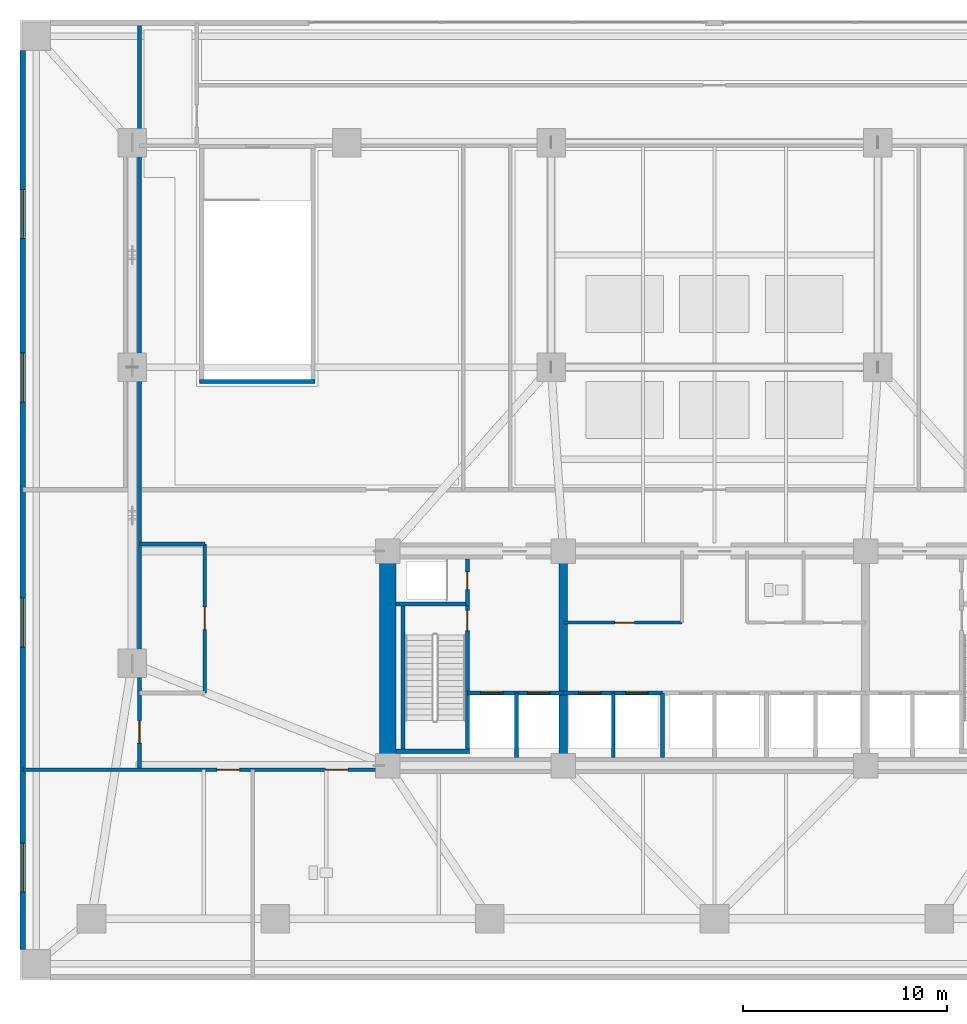
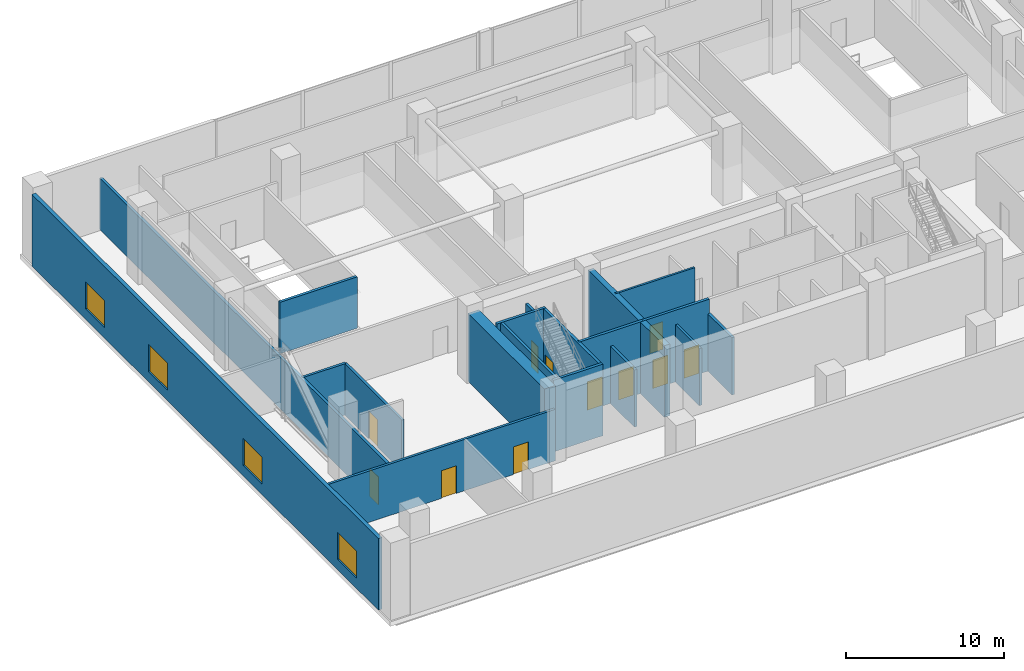
# One storey, part 11 of 16: 19 walls, 11 doors, 4 windows, 15 openings.
"""IFC4 building model written with IfcOpenShell, lengths in metres."""

from ifc_helpers import new_model, si_unit, direction, frame, frame_2d, origin, place, context, subcontext, project, spatial, rectangle, extrude, material, layer, layer_set, type_object, element, fill, save


model = new_model("IFC4")

# Units and contexts
model_context = context("Model", 3, precision=1e-05, world=origin(), true_north=direction((0.0, 1.0)))
body_context = subcontext(model_context, "Body", "Model", "MODEL_VIEW")
ifc_project = project(units=[si_unit("LENGTHUNIT", "METRE"), si_unit("AREAUNIT", "SQUARE_METRE"), si_unit("VOLUMEUNIT", "CUBIC_METRE"), si_unit("PLANEANGLEUNIT", "RADIAN"), si_unit("MASSUNIT", "GRAM", prefix="KILO")], contexts=[model_context])

# Site, building, storey
site_placement = place(None, origin())
site = spatial("IfcSite", under=ifc_project, at=site_placement, CompositionType="ELEMENT")
building_placement = place(site_placement, origin())
building = spatial("IfcBuilding", under=site, at=building_placement, Name="Solmavex Isthmus Hotel", CompositionType="ELEMENT")
storey_placement = place(building_placement, frame((0.0, 0.0, 20.39990234375)))
storey = spatial("IfcBuildingStorey", under=building, at=storey_placement, Name="L05", CompositionType="ELEMENT", Elevation=20.39990234375)

# Wall, openings, windows
ifc_material_1 = material(Name="Precast Concrete C40/50", Category="concrete")
ifc_layer_1 = layer(ifc_material_1, 0.280029296875)
ifc_layer_set_1 = layer_set([ifc_layer_1], Name="Precast Concrete C40/50")
wall_type_1 = type_object("IfcWallType", Name="EW-POD-280", PredefinedType="STANDARD", material=ifc_layer_set_1)
wall_1_placement = place(storey_placement, frame((-33.860107421875, -22.0, 0.0), z_axis=(0.0, 0.0, 1.0), x_axis=(0.0, 1.0, 0.0)))
wall_1 = element("IfcWall", 1, at=wall_1_placement, inside=storey, type_object=wall_type_1, Name="Podium Facade Wall West L05", PredefinedType="STANDARD", context=body_context, shape_type="SweptSolid", body=[
    extrude(rectangle(XDim=44.0, YDim=0.280029296875, at=frame_2d((22.0, 0.0))), origin(), (0.0, 0.0, 1.0), 5.550048828125),
])
opening_1_placement = place(wall_1_placement, frame((2.800048828125, 0.0, 0.800048828125)))
opening_1 = element("IfcOpeningElement", 2, at=opening_1_placement, cuts=wall_1, Name="Opening WN-01", PredefinedType="OPENING", context=body_context, shape_type="SweptSolid", body=[
    extrude(rectangle(XDim=2.39990234375, YDim=2.10009765625, at=frame_2d((1.199951171875, 1.050048828125))), frame((0.0, 0.14990234375, 0.0), z_axis=(0.0, -1.0, 0.0), x_axis=(1.0, 0.0, 0.0)), (0.0, 0.0, 1.0), 0.300048828125),
])
opening_2_placement = place(wall_1_placement, frame((14.800048828125, 0.0, 0.800048828125)))
opening_2 = element("IfcOpeningElement", 3, at=opening_2_placement, cuts=wall_1, Name="Opening WN-01", PredefinedType="OPENING", context=body_context, shape_type="SweptSolid", body=[
    extrude(rectangle(XDim=2.39990234375, YDim=2.10009765625, at=frame_2d((1.199951171875, 1.050048828125))), frame((0.0, 0.14990234375, 0.0), z_axis=(0.0, -1.0, 0.0), x_axis=(1.0, 0.0, 0.0)), (0.0, 0.0, 1.0), 0.300048828125),
])
opening_3_placement = place(wall_1_placement, frame((26.800048828125, 0.0, 0.800048828125)))
opening_3 = element("IfcOpeningElement", 4, at=opening_3_placement, cuts=wall_1, Name="Opening WN-01", PredefinedType="OPENING", context=body_context, shape_type="SweptSolid", body=[
    extrude(rectangle(XDim=2.39990234375, YDim=2.10009765625, at=frame_2d((1.199951171875, 1.050048828125))), frame((0.0, 0.14990234375, 0.0), z_axis=(0.0, -1.0, 0.0), x_axis=(1.0, 0.0, 0.0)), (0.0, 0.0, 1.0), 0.300048828125),
])
opening_4_placement = place(wall_1_placement, frame((34.800048828125, 0.0, 0.800048828125)))
opening_4 = element("IfcOpeningElement", 5, at=opening_4_placement, cuts=wall_1, Name="Opening WN-01", PredefinedType="OPENING", context=body_context, shape_type="SweptSolid", body=[
    extrude(rectangle(XDim=2.39990234375, YDim=2.10009765625, at=frame_2d((1.199951171875, 1.050048828125))), frame((0.0, 0.14990234375, 0.0), z_axis=(0.0, -1.0, 0.0), x_axis=(1.0, 0.0, 0.0)), (0.0, 0.0, 1.0), 0.300048828125),
])
ifc_material_2 = material(Name="Clear low-E laminated glass", Category="glass")
window_type = type_object("IfcWindowType", Name="WIN-POD-2400", PartitioningType="SINGLE_PANEL", PredefinedType="WINDOW", material=ifc_material_2)
window_1_placement = place(opening_1_placement, origin())
window_1 = element("IfcWindow", 6, at=window_1_placement, inside=storey, type_object=window_type, Name="Podium Ballroom Window L05-W1", OverallHeight=2.10009765625, OverallWidth=2.39990234375, PartitioningType="SINGLE_PANEL", PredefinedType="WINDOW", context=body_context, shape_type="SweptSolid", body=[
    extrude(rectangle(XDim=2.39990234375, YDim=2.10009765625, at=frame_2d((1.199951171875, 1.050048828125))), frame((0.0, 0.030029296875, 0.0), z_axis=(0.0, -1.0, 0.0), x_axis=(1.0, 0.0, 0.0)), (0.0, 0.0, 1.0), 0.06005859375),
])
fill(opening_1, window_1)
window_2_placement = place(opening_2_placement, origin())
window_2 = element("IfcWindow", 7, at=window_2_placement, inside=storey, type_object=window_type, Name="Podium Ballroom Window L05-W2", OverallHeight=2.10009765625, OverallWidth=2.39990234375, PartitioningType="SINGLE_PANEL", PredefinedType="WINDOW", context=body_context, shape_type="SweptSolid", body=[
    extrude(rectangle(XDim=2.39990234375, YDim=2.10009765625, at=frame_2d((1.199951171875, 1.050048828125))), frame((0.0, 0.030029296875, 0.0), z_axis=(0.0, -1.0, 0.0), x_axis=(1.0, 0.0, 0.0)), (0.0, 0.0, 1.0), 0.06005859375),
])
fill(opening_2, window_2)
window_3_placement = place(opening_3_placement, origin())
window_3 = element("IfcWindow", 8, at=window_3_placement, inside=storey, type_object=window_type, Name="Podium Ballroom Window L05-W3", OverallHeight=2.10009765625, OverallWidth=2.39990234375, PartitioningType="SINGLE_PANEL", PredefinedType="WINDOW", context=body_context, shape_type="SweptSolid", body=[
    extrude(rectangle(XDim=2.39990234375, YDim=2.10009765625, at=frame_2d((1.199951171875, 1.050048828125))), frame((0.0, 0.030029296875, 0.0), z_axis=(0.0, -1.0, 0.0), x_axis=(1.0, 0.0, 0.0)), (0.0, 0.0, 1.0), 0.06005859375),
])
fill(opening_3, window_3)
window_4_placement = place(opening_4_placement, origin())
window_4 = element("IfcWindow", 9, at=window_4_placement, inside=storey, type_object=window_type, Name="Podium Ballroom Window L05-W4", OverallHeight=2.10009765625, OverallWidth=2.39990234375, PartitioningType="SINGLE_PANEL", PredefinedType="WINDOW", context=body_context, shape_type="SweptSolid", body=[
    extrude(rectangle(XDim=2.39990234375, YDim=2.10009765625, at=frame_2d((1.199951171875, 1.050048828125))), frame((0.0, 0.030029296875, 0.0), z_axis=(0.0, -1.0, 0.0), x_axis=(1.0, 0.0, 0.0)), (0.0, 0.0, 1.0), 0.06005859375),
])
fill(opening_4, window_4)

# Wall, opening, door
ifc_material_3 = material(Name="Gypsum plasterboard lining", Category="gypsum")
ifc_layer_2 = layer(ifc_material_3, 0.14990234375)
ifc_layer_set_2 = layer_set([ifc_layer_2], Name="Gypsum plasterboard lining")
wall_type_2 = type_object("IfcWallType", Name="IW-CORR-150", PredefinedType="PARTITIONING", material=ifc_layer_set_2)
wall_2_placement = place(storey_placement, frame((-7.39990234375, -6.0, 0.0), z_axis=(0.0, 0.0, 1.0), x_axis=(1.0, 0.0, 0.0)))
wall_2 = element("IfcWall", 10, at=wall_2_placement, inside=storey, type_object=wall_type_2, Name="Interior Partition Wall W-L05-BOH-WS", PredefinedType="PARTITIONING", context=body_context, shape_type="SweptSolid", body=[
    extrude(rectangle(XDim=5.7998046875, YDim=0.14990234375, at=frame_2d((2.89990234375, 0.0))), origin(), (0.0, 0.0, 1.0), 5.550048828125),
])
opening_5_placement = place(wall_2_placement, frame((2.52490234375, 0.0, 0.0)))
opening_5 = element("IfcOpeningElement", 11, at=opening_5_placement, cuts=wall_2, Name="Opening ID-C095", PredefinedType="OPENING", context=body_context, shape_type="SweptSolid", body=[
    extrude(rectangle(XDim=0.949951171875, YDim=2.14990234375, at=frame_2d((0.47509765625, 1.074951171875))), frame((0.0, 0.0849609375, 0.0), z_axis=(0.0, -1.0, 0.0), x_axis=(1.0, 0.0, 0.0)), (0.0, 0.0, 1.0), 0.169921875),
])
ifc_material_4 = material(Name="Hardwood timber", Category="wood")
door_type_1 = type_object("IfcDoorType", Name="IDR-FD60-0950", OperationType="NOTDEFINED", PredefinedType="DOOR", material=ifc_material_4)
door_1_placement = place(opening_5_placement, frame((0.949951171875, 0.0, 0.0), z_axis=(0.0, 0.0, 1.0), x_axis=(-1.0, 0.0, 0.0)))
door_1 = element("IfcDoor", 12, at=door_1_placement, inside=storey, type_object=door_type_1, Name="Housekeeping Room Door L05", OperationType="SINGLE_SWING_LEFT", OverallHeight=2.14990234375, OverallWidth=0.949951171875, PredefinedType="DOOR", context=body_context, shape_type="SweptSolid", body=[
    extrude(rectangle(XDim=0.949951171875, YDim=2.14990234375, at=frame_2d((0.47509765625, 1.074951171875))), frame((0.0, 0.02490234375, 0.0), z_axis=(0.0, -1.0, 0.0), x_axis=(1.0, 0.0, 0.0)), (0.0, 0.0, 1.0), 0.050048828125),
])
fill(opening_5, door_1)

# Wall
ifc_material_5 = material(Name="Concrete C40/50", Category="concrete")
ifc_layer_3 = layer(ifc_material_5, 0.179931640625)
ifc_layer_set_3 = layer_set([ifc_layer_3], Name="Concrete C40/50")
wall_type_3 = type_object("IfcWallType", Name="IW-SHAFT-180", PredefinedType="PARTITIONING", material=ifc_layer_set_3)
wall_3_placement = place(storey_placement, frame((-4.949951171875, -12.60009765625, 0.0), z_axis=(0.0, 0.0, 1.0), x_axis=(0.0, 1.0, 0.0)))
element("IfcWall", 13, at=wall_3_placement, inside=storey, type_object=wall_type_3, Name="Interior Partition Wall W-L05-SH-PLL-M", PredefinedType="PARTITIONING", context=body_context, shape_type="SweptSolid", body=[
    extrude(rectangle(XDim=3.150146484375, YDim=0.179931640625, at=frame_2d((1.5751953125, 0.0))), origin(), (0.0, 0.0, 1.0), 4.43505859375),
])

# Wall, openings, doors
wall_4_placement = place(storey_placement, frame((-33.860107421875, -13.199951171875, 0.0), z_axis=(0.0, 0.0, 1.0), x_axis=(1.0, 0.0, 0.0)))
wall_4 = element("IfcWall", 14, at=wall_4_placement, inside=storey, type_object=wall_type_3, Name="Interior Partition Wall W-L05-SW", PredefinedType="PARTITIONING", context=body_context, shape_type="SweptSolid", body=[
    extrude(rectangle(XDim=17.860107421875, YDim=0.179931640625, at=frame_2d((8.93017578125, 0.0))), origin(), (0.0, 0.0, 1.0), 3.985107421875),
])
opening_6_placement = place(wall_4_placement, frame((14.81005859375, 0.0, 0.0)))
opening_6 = element("IfcOpeningElement", 15, at=opening_6_placement, cuts=wall_4, Name="Opening ID-C110", PredefinedType="OPENING", context=body_context, shape_type="SweptSolid", body=[
    extrude(rectangle(XDim=1.10009765625, YDim=2.14990234375, at=frame_2d((0.550048828125, 1.074951171875))), frame((0.0, 0.099853515625, 0.0), z_axis=(0.0, -1.0, 0.0), x_axis=(1.0, 0.0, 0.0)), (0.0, 0.0, 1.0), 0.199951171875),
])
opening_7_placement = place(wall_4_placement, frame((9.510009765625, 0.0, 0.0)))
opening_7 = element("IfcOpeningElement", 16, at=opening_7_placement, cuts=wall_4, Name="Opening ID-C110", PredefinedType="OPENING", context=body_context, shape_type="SweptSolid", body=[
    extrude(rectangle(XDim=1.10009765625, YDim=2.14990234375, at=frame_2d((0.550048828125, 1.074951171875))), frame((0.0, 0.099853515625, 0.0), z_axis=(0.0, -1.0, 0.0), x_axis=(1.0, 0.0, 0.0)), (0.0, 0.0, 1.0), 0.199951171875),
])
door_type_2 = type_object("IfcDoorType", Name="IDR-FD60-1100", OperationType="NOTDEFINED", PredefinedType="DOOR", material=ifc_material_4)
door_2_placement = place(opening_6_placement, origin())
door_2 = element("IfcDoor", 17, at=door_2_placement, inside=storey, type_object=door_type_2, Name="Podium L05 Door D-L05-WC", OperationType="SINGLE_SWING_LEFT", OverallHeight=2.14990234375, OverallWidth=1.10009765625, PredefinedType="DOOR", context=body_context, shape_type="SweptSolid", body=[
    extrude(rectangle(XDim=1.10009765625, YDim=2.14990234375, at=frame_2d((0.550048828125, 1.074951171875))), frame((0.0, 0.02490234375, 0.0), z_axis=(0.0, -1.0, 0.0), x_axis=(1.0, 0.0, 0.0)), (0.0, 0.0, 1.0), 0.050048828125),
])
fill(opening_6, door_2)
door_3_placement = place(opening_7_placement, origin())
door_3 = element("IfcDoor", 18, at=door_3_placement, inside=storey, type_object=door_type_2, Name="Podium L05 Door D-L05-CHG", OperationType="SINGLE_SWING_LEFT", OverallHeight=2.14990234375, OverallWidth=1.10009765625, PredefinedType="DOOR", context=body_context, shape_type="SweptSolid", body=[
    extrude(rectangle(XDim=1.10009765625, YDim=2.14990234375, at=frame_2d((0.550048828125, 1.074951171875))), frame((0.0, 0.02490234375, 0.0), z_axis=(0.0, -1.0, 0.0), x_axis=(1.0, 0.0, 0.0)), (0.0, 0.0, 1.0), 0.050048828125),
])
fill(opening_7, door_3)

# Wall
wall_5_placement = place(storey_placement, frame((-28.14990234375, -2.14990234375, 0.0), z_axis=(0.0, 0.0, 1.0), x_axis=(1.0, 0.0, 0.0)))
element("IfcWall", 19, at=wall_5_placement, inside=storey, type_object=wall_type_3, Name="Interior Partition Wall W-L05-CSW", PredefinedType="PARTITIONING", context=body_context, shape_type="SweptSolid", body=[
    extrude(rectangle(XDim=3.199951171875, YDim=0.179931640625, at=frame_2d((1.60009765625, 0.0))), origin(), (0.0, 0.0, 1.0), 3.985107421875),
])

# Wall, opening, door
wall_6_placement = place(storey_placement, frame((-24.949951171875, -9.449951171875, 0.0), z_axis=(0.0, 0.0, 1.0), x_axis=(0.0, 1.0, 0.0)))
wall_6 = element("IfcWall", 20, at=wall_6_placement, inside=storey, type_object=wall_type_3, Name="Interior Partition Wall W-L05-CVW", PredefinedType="PARTITIONING", context=body_context, shape_type="SweptSolid", body=[
    extrude(rectangle(XDim=7.300048828125, YDim=0.179931640625, at=frame_2d((3.64990234375, 0.0))), origin(), (0.0, 0.0, 1.0), 3.985107421875),
])
opening_8_placement = place(wall_6_placement, frame((3.10009765625, 0.0, 0.0)))
opening_8 = element("IfcOpeningElement", 21, at=opening_8_placement, cuts=wall_6, Name="Opening ID-C110", PredefinedType="OPENING", context=body_context, shape_type="SweptSolid", body=[
    extrude(rectangle(XDim=1.10009765625, YDim=2.14990234375, at=frame_2d((0.550048828125, 1.074951171875))), frame((0.0, 0.099853515625, 0.0), z_axis=(0.0, -1.0, 0.0), x_axis=(1.0, 0.0, 0.0)), (0.0, 0.0, 1.0), 0.199951171875),
])
door_4_placement = place(opening_8_placement, origin())
door_4 = element("IfcDoor", 22, at=door_4_placement, inside=storey, type_object=door_type_2, Name="Podium L05 Door D-L05-STW", OperationType="SINGLE_SWING_LEFT", OverallHeight=2.14990234375, OverallWidth=1.10009765625, PredefinedType="DOOR", context=body_context, shape_type="SweptSolid", body=[
    extrude(rectangle(XDim=1.10009765625, YDim=2.14990234375, at=frame_2d((0.550048828125, 1.074951171875))), frame((0.0, 0.02490234375, 0.0), z_axis=(0.0, -1.0, 0.0), x_axis=(1.0, 0.0, 0.0)), (0.0, 0.0, 1.0), 0.050048828125),
])
fill(opening_8, door_4)

ifc_layer_4 = layer(ifc_material_5, 0.199951171875)
ifc_layer_set_4 = layer_set([ifc_layer_4], Name="Concrete C40/50")
wall_type_4 = type_object("IfcWallType", Name="IW-SHAFT-200", PredefinedType="PARTITIONING", material=ifc_layer_set_4)
wall_7_placement = place(storey_placement, frame((-12.10009765625, -5.199951171875, 0.0), z_axis=(0.0, 0.0, 1.0), x_axis=(0.0, 1.0, 0.0)))
wall_7 = element("IfcWall", 23, at=wall_7_placement, inside=storey, type_object=wall_type_4, Name="Interior Partition Wall W-L05-RSW-E", PredefinedType="PARTITIONING", context=body_context, shape_type="SweptSolid", body=[
    extrude(rectangle(XDim=2.300048828125, YDim=0.199951171875, at=frame_2d((1.14990234375, 0.0))), origin(), (0.0, 0.0, 1.0), 4.545166015625),
])
opening_9_placement = place(wall_7_placement, frame((0.824951171875, 0.0, 0.0)))
opening_9 = element("IfcOpeningElement", 24, at=opening_9_placement, cuts=wall_7, Name="Opening ID-R085", PredefinedType="OPENING", context=body_context, shape_type="SweptSolid", body=[
    extrude(rectangle(XDim=0.85009765625, YDim=2.050048828125, at=frame_2d((0.425048828125, 1.02490234375))), frame((0.0, 0.10986328125, 0.0), z_axis=(0.0, -1.0, 0.0), x_axis=(1.0, 0.0, 0.0)), (0.0, 0.0, 1.0), 0.219970703125),
])
ifc_material_6 = material(Name="Steel ASTM A500 Grade C", Category="steel")
door_type_3 = type_object("IfcDoorType", Name="IDR-FD60-0850", OperationType="NOTDEFINED", PredefinedType="DOOR", material=ifc_material_6)
door_5_placement = place(opening_9_placement, origin())
door_5 = element("IfcDoor", 25, at=door_5_placement, inside=storey, type_object=door_type_3, Name="Electrical Riser Door L05", OperationType="SINGLE_SWING_RIGHT", OverallHeight=2.050048828125, OverallWidth=0.85009765625, PredefinedType="DOOR", context=body_context, shape_type="SweptSolid", body=[
    extrude(rectangle(XDim=0.85009765625, YDim=2.050048828125, at=frame_2d((0.425048828125, 1.02490234375))), frame((0.0, 0.02490234375, 0.0), z_axis=(0.0, -1.0, 0.0), x_axis=(1.0, 0.0, 0.0)), (0.0, 0.0, 1.0), 0.050048828125),
])
fill(opening_9, door_5)

# Wall, openings, doors
wall_8_placement = place(storey_placement, frame((-12.10009765625, -9.449951171875, 0.0), z_axis=(0.0, 0.0, 1.0), x_axis=(1.0, 0.0, 0.0)))
wall_8 = element("IfcWall", 26, at=wall_8_placement, inside=storey, type_object=wall_type_4, Name="Interior Partition Wall W-L05-FFLW-S", PredefinedType="PARTITIONING", context=body_context, shape_type="SweptSolid", body=[
    extrude(rectangle(XDim=4.7001953125, YDim=0.199951171875, at=frame_2d((2.35009765625, 0.0))), origin(), (0.0, 0.0, 1.0), 5.550048828125),
])
opening_10_placement = place(wall_8_placement, frame((0.64990234375, 0.0, 0.0)))
opening_10 = element("IfcOpeningElement", 27, at=opening_10_placement, cuts=wall_8, Name="Opening LD-FF", PredefinedType="OPENING", context=body_context, shape_type="SweptSolid", body=[
    extrude(rectangle(XDim=1.10009765625, YDim=2.199951171875, at=frame_2d((0.550048828125, 1.10009765625))), frame((0.0, 0.10986328125, 0.0), z_axis=(0.0, -1.0, 0.0), x_axis=(1.0, 0.0, 0.0)), (0.0, 0.0, 1.0), 0.219970703125),
])
opening_11_placement = place(wall_8_placement, frame((2.949951171875, 0.0, 0.0)))
opening_11 = element("IfcOpeningElement", 28, at=opening_11_placement, cuts=wall_8, Name="Opening LD-SV", PredefinedType="OPENING", context=body_context, shape_type="SweptSolid", body=[
    extrude(rectangle(XDim=1.10009765625, YDim=2.199951171875, at=frame_2d((0.550048828125, 1.10009765625))), frame((0.0, 0.10986328125, 0.0), z_axis=(0.0, -1.0, 0.0), x_axis=(1.0, 0.0, 0.0)), (0.0, 0.0, 1.0), 0.219970703125),
])
ifc_material_7 = material(Name="Stainless steel 316", Category="steel")
door_type_4 = type_object("IfcDoorType", Name="LDR-FF-1100", OperationType="NOTDEFINED", PredefinedType="DOOR", material=ifc_material_7)
door_6_placement = place(opening_10_placement, origin())
door_6 = element("IfcDoor", 29, at=door_6_placement, inside=storey, type_object=door_type_4, Name="Lift Landing Door FFL-1 L05", OperationType="SLIDING_TO_LEFT", OverallHeight=2.199951171875, OverallWidth=1.10009765625, PredefinedType="DOOR", context=body_context, shape_type="SweptSolid", body=[
    extrude(rectangle(XDim=1.10009765625, YDim=2.199951171875, at=frame_2d((0.550048828125, 1.10009765625))), frame((0.0, 0.02490234375, 0.0), z_axis=(0.0, -1.0, 0.0), x_axis=(1.0, 0.0, 0.0)), (0.0, 0.0, 1.0), 0.050048828125),
])
fill(opening_10, door_6)
door_type_5 = type_object("IfcDoorType", Name="LDR-SV-1100", OperationType="NOTDEFINED", PredefinedType="DOOR", material=ifc_material_7)
door_7_placement = place(opening_11_placement, origin())
door_7 = element("IfcDoor", 30, at=door_7_placement, inside=storey, type_object=door_type_5, Name="Lift Landing Door SVL-1 L05", OperationType="SLIDING_TO_RIGHT", OverallHeight=2.199951171875, OverallWidth=1.10009765625, PredefinedType="DOOR", context=body_context, shape_type="SweptSolid", body=[
    extrude(rectangle(XDim=1.10009765625, YDim=2.199951171875, at=frame_2d((0.550048828125, 1.10009765625))), frame((0.0, 0.02490234375, 0.0), z_axis=(0.0, -1.0, 0.0), x_axis=(1.0, 0.0, 0.0)), (0.0, 0.0, 1.0), 0.050048828125),
])
fill(opening_11, door_7)

# Wall
wall_9_placement = place(storey_placement, frame((-9.699951171875, -12.60009765625, 0.0), z_axis=(0.0, 0.0, 1.0), x_axis=(0.0, 1.0, 0.0)))
element("IfcWall", 31, at=wall_9_placement, inside=storey, type_object=wall_type_4, Name="Interior Partition Wall W-L05-FFLW-M", PredefinedType="PARTITIONING", context=body_context, shape_type="SweptSolid", body=[
    extrude(rectangle(XDim=3.150146484375, YDim=0.199951171875, at=frame_2d((1.5751953125, 0.0))), origin(), (0.0, 0.0, 1.0), 4.43505859375),
])

# Wall, openings, doors
wall_10_placement = place(storey_placement, frame((-7.39990234375, -9.449951171875, 0.0), z_axis=(0.0, 0.0, 1.0), x_axis=(1.0, 0.0, 0.0)))
wall_10 = element("IfcWall", 32, at=wall_10_placement, inside=storey, type_object=wall_type_4, Name="Interior Partition Wall W-L05-SH-PLL", PredefinedType="PARTITIONING", context=body_context, shape_type="SweptSolid", body=[
    extrude(rectangle(XDim=4.849853515625, YDim=0.199951171875, at=frame_2d((2.4248046875, 0.0))), origin(), (0.0, 0.0, 1.0), 5.550048828125),
])
opening_12_placement = place(wall_10_placement, frame((0.75, 0.0, 0.0)))
opening_12 = element("IfcOpeningElement", 33, at=opening_12_placement, cuts=wall_10, Name="Opening LD-PL", PredefinedType="OPENING", context=body_context, shape_type="SweptSolid", body=[
    extrude(rectangle(XDim=1.10009765625, YDim=2.199951171875, at=frame_2d((0.550048828125, 1.10009765625))), frame((0.0, 0.10986328125, 0.0), z_axis=(0.0, -1.0, 0.0), x_axis=(1.0, 0.0, 0.0)), (0.0, 0.0, 1.0), 0.219970703125),
])
opening_13_placement = place(wall_10_placement, frame((3.050048828125, 0.0, 0.0)))
opening_13 = element("IfcOpeningElement", 34, at=opening_13_placement, cuts=wall_10, Name="Opening LD-PL", PredefinedType="OPENING", context=body_context, shape_type="SweptSolid", body=[
    extrude(rectangle(XDim=1.10009765625, YDim=2.199951171875, at=frame_2d((0.550048828125, 1.10009765625))), frame((0.0, 0.10986328125, 0.0), z_axis=(0.0, -1.0, 0.0), x_axis=(1.0, 0.0, 0.0)), (0.0, 0.0, 1.0), 0.219970703125),
])
door_type_6 = type_object("IfcDoorType", Name="LDR-PL-1100", OperationType="NOTDEFINED", PredefinedType="DOOR", material=ifc_material_7)
door_8_placement = place(opening_12_placement, origin())
door_8 = element("IfcDoor", 35, at=door_8_placement, inside=storey, type_object=door_type_6, Name="Lift Landing Door PLL1 L05", OperationType="SLIDING_TO_LEFT", OverallHeight=2.199951171875, OverallWidth=1.10009765625, PredefinedType="DOOR", context=body_context, shape_type="SweptSolid", body=[
    extrude(rectangle(XDim=1.10009765625, YDim=2.199951171875, at=frame_2d((0.550048828125, 1.10009765625))), frame((0.0, 0.02490234375, 0.0), z_axis=(0.0, -1.0, 0.0), x_axis=(1.0, 0.0, 0.0)), (0.0, 0.0, 1.0), 0.050048828125),
])
fill(opening_12, door_8)
door_9_placement = place(opening_13_placement, origin())
door_9 = element("IfcDoor", 36, at=door_9_placement, inside=storey, type_object=door_type_6, Name="Lift Landing Door PLL2 L05", OperationType="SLIDING_TO_LEFT", OverallHeight=2.199951171875, OverallWidth=1.10009765625, PredefinedType="DOOR", context=body_context, shape_type="SweptSolid", body=[
    extrude(rectangle(XDim=1.10009765625, YDim=2.199951171875, at=frame_2d((0.550048828125, 1.10009765625))), frame((0.0, 0.02490234375, 0.0), z_axis=(0.0, -1.0, 0.0), x_axis=(1.0, 0.0, 0.0)), (0.0, 0.0, 1.0), 0.050048828125),
])
fill(opening_13, door_9)

# Wall
wall_11_placement = place(storey_placement, frame((-2.550048828125, -12.60009765625, 0.0), z_axis=(0.0, 0.0, 1.0), x_axis=(0.0, 1.0, 0.0)))
element("IfcWall", 37, at=wall_11_placement, inside=storey, type_object=wall_type_4, Name="Interior Partition Wall W-L05-SH-PLL-E", PredefinedType="PARTITIONING", context=body_context, shape_type="SweptSolid", body=[
    extrude(rectangle(XDim=3.150146484375, YDim=0.199951171875, at=frame_2d((1.5751953125, 0.0))), origin(), (0.0, 0.0, 1.0), 4.43505859375),
])

# Wall, opening, door
wall_12_placement = place(storey_placement, frame((-28.14990234375, -13.199951171875, 0.0), z_axis=(0.0, 0.0, 1.0), x_axis=(0.0, 1.0, 0.0)))
wall_12 = element("IfcWall", 38, at=wall_12_placement, inside=storey, type_object=wall_type_4, Name="Interior Partition Wall W-L05-TRW", PredefinedType="PARTITIONING", context=body_context, shape_type="SweptSolid", body=[
    extrude(rectangle(XDim=36.56005859375, YDim=0.199951171875, at=frame_2d((18.280029296875, 0.0))), origin(), (0.0, 0.0, 1.0), 3.985107421875),
])
opening_14_placement = place(wall_12_placement, frame((1.300048828125, 0.0, 0.0)))
opening_14 = element("IfcOpeningElement", 39, at=opening_14_placement, cuts=wall_12, Name="Opening ID-C110", PredefinedType="OPENING", context=body_context, shape_type="SweptSolid", body=[
    extrude(rectangle(XDim=1.10009765625, YDim=2.14990234375, at=frame_2d((0.550048828125, 1.074951171875))), frame((0.0, 0.10986328125, 0.0), z_axis=(0.0, -1.0, 0.0), x_axis=(1.0, 0.0, 0.0)), (0.0, 0.0, 1.0), 0.219970703125),
])
door_10_placement = place(opening_14_placement, origin())
door_10 = element("IfcDoor", 40, at=door_10_placement, inside=storey, type_object=door_type_2, Name="Podium L05 Door D-L05-TGW", OperationType="SINGLE_SWING_LEFT", OverallHeight=2.14990234375, OverallWidth=1.10009765625, PredefinedType="DOOR", context=body_context, shape_type="SweptSolid", body=[
    extrude(rectangle(XDim=1.10009765625, YDim=2.14990234375, at=frame_2d((0.550048828125, 1.074951171875))), frame((0.0, 0.02490234375, 0.0), z_axis=(0.0, -1.0, 0.0), x_axis=(1.0, 0.0, 0.0)), (0.0, 0.0, 1.0), 0.050048828125),
])
fill(opening_14, door_10)

# Walls
ifc_material_8 = material(Name="Concrete C70/85", Category="concrete")
ifc_layer_5 = layer(ifc_material_8, 0.39990234375)
ifc_layer_set_5 = layer_set([ifc_layer_5], Name="Concrete C70/85")
wall_type_5 = type_object("IfcWallType", Name="WALL-CW-400L", PredefinedType="SHEAR", material=ifc_layer_set_5)
wall_13_placement = place(storey_placement, frame((-7.39990234375, -12.60009765625, 0.0), z_axis=(0.0, 0.0, 1.0), x_axis=(0.0, 1.0, 0.0)))
element("IfcWall", 41, at=wall_13_placement, inside=storey, type_object=wall_type_5, Name="Core Cross Shear Wall C1 L05", PredefinedType="SHEAR", context=body_context, shape_type="SweptSolid", body=[
    extrude(rectangle(XDim=9.7001953125, YDim=0.39990234375, at=frame_2d((4.85009765625, 0.0))), origin(), (0.0, 0.0, 1.0), 5.550048828125),
])
ifc_layer_6 = layer(ifc_material_8, 0.800048828125)
ifc_layer_set_6 = layer_set([ifc_layer_6], Name="Concrete C70/85")
wall_type_6 = type_object("IfcWallType", Name="WALL-CW-800", PredefinedType="SHEAR", material=ifc_layer_set_6)
wall_14_placement = place(storey_placement, frame((-16.0, -12.60009765625, 0.0), z_axis=(0.0, 0.0, 1.0), x_axis=(0.0, 1.0, 0.0)))
element("IfcWall", 42, at=wall_14_placement, inside=storey, type_object=wall_type_6, Name="Core Shear Wall West L05", PredefinedType="SHEAR", context=body_context, shape_type="SweptSolid", body=[
    extrude(rectangle(XDim=9.7001953125, YDim=0.800048828125, at=frame_2d((4.85009765625, 0.0))), origin(), (0.0, 0.0, 1.0), 5.27001953125),
])
ifc_layer_7 = layer(ifc_material_5, 0.199951171875)
ifc_layer_set_7 = layer_set([ifc_layer_7], Name="Concrete C40/50")
wall_type_7 = type_object("IfcWallType", Name="WALL-SW-200", PredefinedType="SOLIDWALL", material=ifc_layer_set_7)
for number, where, z_axis, x_axis, name in (
    (43, (-15.60009765625, -12.300048828125, 0.0), (0.0, 0.0, 1.0), (1.0, 0.0, 0.0), "Stairwell Structural Wall SW-L05-ST1-S"),
    (44, (-15.60009765625, -5.10009765625, 0.0), (0.0, 0.0, 1.0), (1.0, 0.0, 0.0), "Stairwell Structural Wall SW-L05-ST1-N"),
):
    element("IfcWall", number, at=place(storey_placement, frame(where, z_axis=z_axis, x_axis=x_axis)), inside=storey, type_object=wall_type_7, Name=name, PredefinedType="SOLIDWALL", context=body_context, shape_type="SweptSolid", body=[
        extrude(rectangle(XDim=3.60009765625, YDim=0.199951171875, at=frame_2d((1.800048828125, 0.0))), origin(), (0.0, 0.0, 1.0), 5.550048828125),
    ])
wall_15_placement = place(storey_placement, frame((-15.25, -12.199951171875, 0.0), z_axis=(0.0, 0.0, 1.0), x_axis=(0.0, 1.0, 0.0)))
element("IfcWall", 45, at=wall_15_placement, inside=storey, type_object=wall_type_7, Name="Stairwell Structural Wall SW-L05-ST1-W", PredefinedType="SOLIDWALL", context=body_context, shape_type="SweptSolid", body=[
    extrude(rectangle(XDim=7.0, YDim=0.199951171875, at=frame_2d((3.5, 0.0))), origin(), (0.0, 0.0, 1.0), 5.550048828125),
])

# Wall, opening, door
wall_16_placement = place(storey_placement, frame((-12.10009765625, -12.199951171875, 0.0), z_axis=(0.0, 0.0, 1.0), x_axis=(0.0, 1.0, 0.0)))
wall_16 = element("IfcWall", 46, at=wall_16_placement, inside=storey, type_object=wall_type_7, Name="Stairwell Structural Wall SW-L05-ST1-E", PredefinedType="SOLIDWALL", context=body_context, shape_type="SweptSolid", body=[
    extrude(rectangle(XDim=7.0, YDim=0.199951171875, at=frame_2d((3.5, 0.0))), origin(), (0.0, 0.0, 1.0), 5.550048828125),
])
opening_15_placement = place(wall_16_placement, frame((5.800048828125, 0.0, 0.0)))
opening_15 = element("IfcOpeningElement", 47, at=opening_15_placement, cuts=wall_16, Name="Opening ID-F100", PredefinedType="OPENING", context=body_context, shape_type="SweptSolid", body=[
    extrude(rectangle(XDim=1.0, YDim=2.10009765625, at=frame_2d((0.5, 1.050048828125))), frame((0.0, 0.10986328125, 0.0), z_axis=(0.0, -1.0, 0.0), x_axis=(1.0, 0.0, 0.0)), (0.0, 0.0, 1.0), 0.219970703125),
])
door_type_7 = type_object("IfcDoorType", Name="IDR-FD90-1000", OperationType="NOTDEFINED", PredefinedType="DOOR", material=ifc_material_6)
door_11_placement = place(opening_15_placement, frame((1.0, 0.0, 0.0), z_axis=(0.0, 0.0, 1.0), x_axis=(-1.0, 0.0, 0.0)))
door_11 = element("IfcDoor", 48, at=door_11_placement, inside=storey, type_object=door_type_7, Name="Stair ST-1 Fire Door L05", OperationType="SINGLE_SWING_LEFT", OverallHeight=2.10009765625, OverallWidth=1.0, PredefinedType="DOOR", context=body_context, shape_type="SweptSolid", body=[
    extrude(rectangle(XDim=1.0, YDim=2.10009765625, at=frame_2d((0.5, 1.050048828125))), frame((0.0, 0.02490234375, 0.0), z_axis=(0.0, -1.0, 0.0), x_axis=(1.0, 0.0, 0.0)), (0.0, 0.0, 1.0), 0.050048828125),
])
fill(opening_15, door_11)

# Wall
wall_17_placement = place(storey_placement, frame((-25.199951171875, 5.800048828125, 0.0), z_axis=(0.0, 0.0, 1.0), x_axis=(1.0, 0.0, 0.0)))
element("IfcWall", 49, at=wall_17_placement, inside=storey, type_object=wall_type_7, Name="Stairwell Structural Wall SW-L05-ST4-S", PredefinedType="SOLIDWALL", context=body_context, shape_type="SweptSolid", body=[
    extrude(rectangle(XDim=5.64990234375, YDim=0.199951171875, at=frame_2d((2.824951171875, 0.0))), origin(), (0.0, 0.0, 1.0), 3.97998046875),
])

save(model, "model.ifc")
